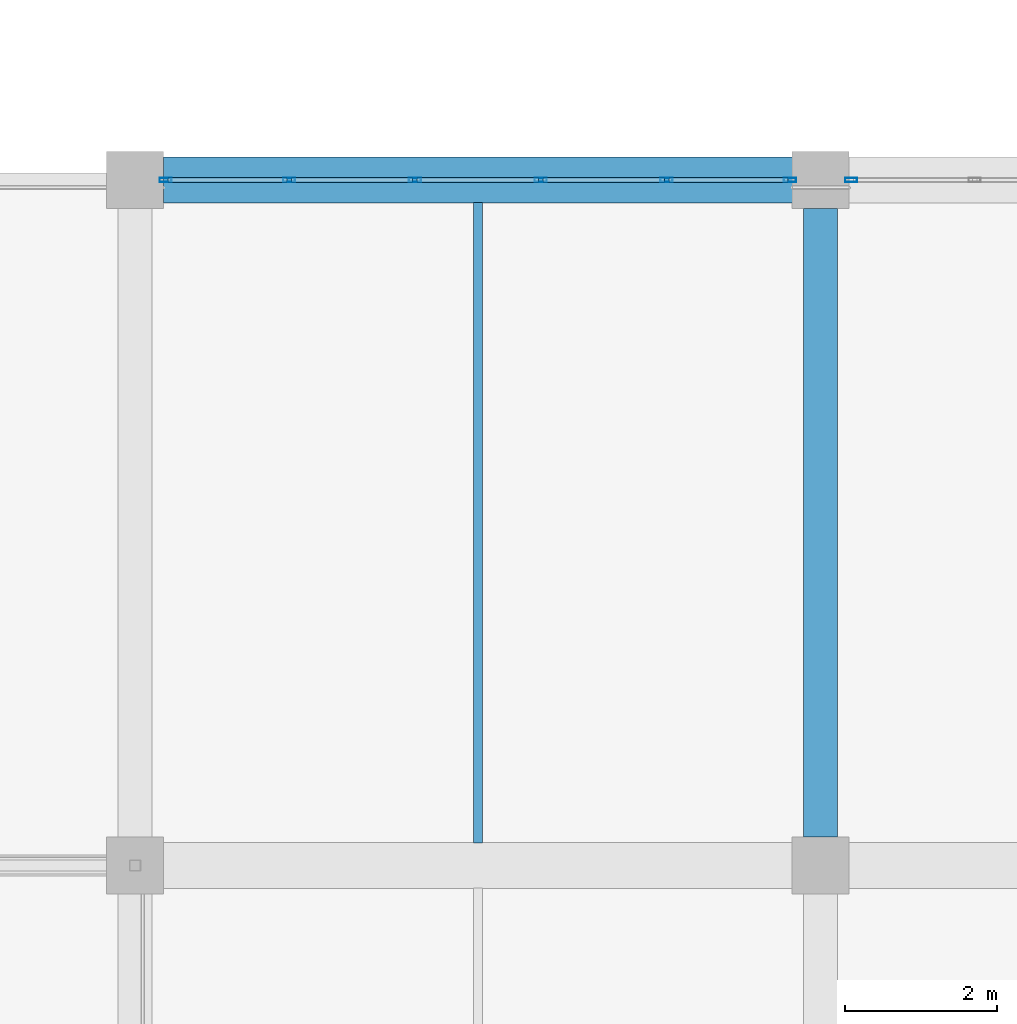
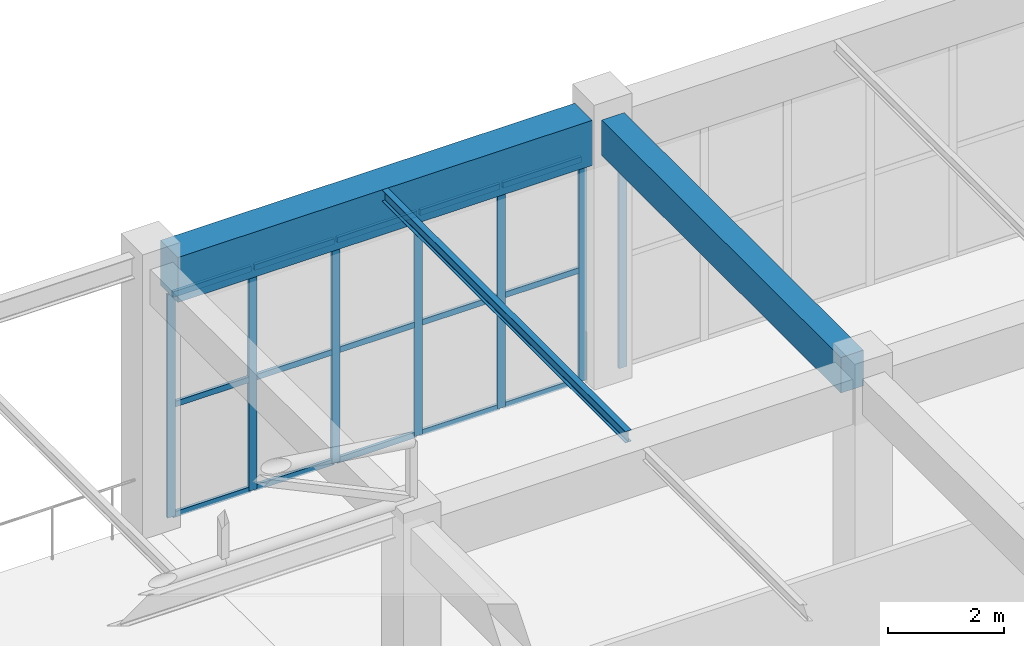
# One storey, part 74 of 223: 22 members, 3 beams, 2 elements without a shape of their own.
"""IFC4 building model written with IfcOpenShell, lengths in metres."""

import ifcopenshell
import ifcopenshell.guid

model = None  # the IFC model being written
_history = None  # IfcOwnerHistory: only IFC2X3 demands one
_inside = {}  # id of a spatial element -> (the spatial element, [elements in it])
_under = {}  # id of a project, library or spatial element -> (it, [spatial elements below it])
_declared = {}  # id of a project -> (the project, [libraries it declares])
_typed = {}  # id of a type object -> (the type object, [elements of that type])
_made_of = {}  # id of a material, layer set ... -> (it, [elements and type objects made of it])


def new_model(schema):
    """Start an empty IFC model of exactly this schema.

    Asked for "IFC4X3", IfcOpenShell would pick the latest addendum, in which some entities
    have other attributes; the version numbers below select the first issue.
    IFC2X3 requires an IfcOwnerHistory on every rooted entity: one is made here for all.
    """
    global model, _history
    if schema == "IFC4X3":
        model = ifcopenshell.file(schema_version=(4, 3, 0, 0))
    else:
        model = ifcopenshell.file(schema=schema)
    _inside.clear()
    _under.clear()
    _declared.clear()
    _typed.clear()
    _made_of.clear()
    _history = None
    if model.schema == "IFC2X3":
        org = make("IfcOrganization", Name="unknown")
        user = make(
            "IfcPersonAndOrganization",
            ThePerson=make("IfcPerson", FamilyName="unknown"),
            TheOrganization=org,
        )
        app = make(
            "IfcApplication",
            ApplicationDeveloper=org,
            Version="unknown",
            ApplicationFullName="unknown",
            ApplicationIdentifier="unknown",
        )
        _history = make(
            "IfcOwnerHistory",
            OwningUser=user,
            OwningApplication=app,
            ChangeAction="ADDED",
            CreationDate=0,
        )
    return model


def make(cls, **values):
    """One entity of the class cls with the attributes given. An attribute that is None is left unset."""
    return model.create_entity(
        cls, **{name: value for name, value in values.items() if value is not None}
    )


def rooted(cls, **values):
    """An entity with a GlobalId (a new one), such as an element, a storey or a relation."""
    return make(cls, GlobalId=ifcopenshell.guid.new(), OwnerHistory=_history, **values)


def si_unit(unit_type, name, prefix=None):
    """IfcSIUnit, for example si_unit("LENGTHUNIT", "METRE", prefix="MILLI")."""
    return make("IfcSIUnit", UnitType=unit_type, Prefix=prefix, Name=name)


def assignment(units):
    """IfcUnitAssignment: the units of a project."""
    return None if units is None else make("IfcUnitAssignment", Units=units)


def point(xyz):
    """IfcCartesianPoint."""
    return None if xyz is None else make("IfcCartesianPoint", Coordinates=xyz)


def direction(xyz):
    """IfcDirection."""
    return None if xyz is None else make("IfcDirection", DirectionRatios=xyz)


def frame(location, z_axis=None, x_axis=None):
    """IfcAxis2Placement3D, a coordinate frame: its origin and axes. An axis left out is left unset."""
    return make(
        "IfcAxis2Placement3D",
        Location=point(location),
        Axis=direction(z_axis),
        RefDirection=direction(x_axis),
    )


def frame_2d(location, x_axis=None):
    """IfcAxis2Placement2D, a coordinate frame in the plane: its origin and x axis."""
    return make(
        "IfcAxis2Placement2D", Location=point(location), RefDirection=direction(x_axis)
    )


def origin():
    """The frame at (0, 0, 0) with its axes left unset."""
    return frame((0.0, 0.0, 0.0))


def origin_2d():
    """The frame at (0, 0) in the plane with its x axis left unset."""
    return frame_2d((0.0, 0.0))


def place(relative_to, where):
    """IfcLocalPlacement: puts the frame where relative to a parent placement (None: the world)."""
    return make(
        "IfcLocalPlacement", PlacementRelTo=relative_to, RelativePlacement=where
    )


def context(
    kind, dimensions, precision=None, world=None, true_north=None, identifier=None
):
    """IfcGeometricRepresentationContext, for example the 3D "Model" context."""
    return make(
        "IfcGeometricRepresentationContext",
        ContextIdentifier=identifier,
        ContextType=kind,
        CoordinateSpaceDimension=dimensions,
        Precision=precision,
        WorldCoordinateSystem=world,
        TrueNorth=true_north,
    )


def subcontext(parent, identifier, kind, view, scale=None):
    """IfcGeometricRepresentationSubContext, for example "Body" below "Model"."""
    return make(
        "IfcGeometricRepresentationSubContext",
        ContextIdentifier=identifier,
        ContextType=kind,
        ParentContext=parent,
        TargetScale=scale,
        TargetView=view,
    )


def project(units=None, contexts=None):
    """IfcProject with its units and contexts."""
    return rooted(
        "IfcProject",
        Name="project",
        RepresentationContexts=contexts,
        UnitsInContext=assignment(units),
    )


def spatial(cls, under=None, at=None, **own):
    """A site, building, storey or space (cls), placed at a placement, below another one or the project."""
    s = rooted(cls, ObjectPlacement=at, **own)
    if under is not None:
        _under.setdefault(under.id(), (under, []))[1].append(s)
    return s


def profile(cls, at=None, kind="AREA", **sizes):
    """A parametric profile (cls). Its sizes go by their IFC names, for example OverallWidth=200.0."""
    return make(cls, ProfileType=kind, Position=at, **sizes)


def rectangle(**sizes):
    """IfcRectangleProfileDef."""
    return profile("IfcRectangleProfileDef", **sizes)


def hollow_rectangle(**sizes):
    """IfcRectangleHollowProfileDef."""
    return profile("IfcRectangleHollowProfileDef", **sizes)


def i_section(**sizes):
    """IfcIShapeProfileDef."""
    return profile("IfcIShapeProfileDef", **sizes)


def extrude(swept, where, along, depth):
    """IfcExtrudedAreaSolid: the profile swept, set in the frame where, extruded along a direction by depth."""
    return make(
        "IfcExtrudedAreaSolid",
        SweptArea=swept,
        Position=where,
        ExtrudedDirection=direction(along),
        Depth=depth,
    )


def shape(context_of_items, identifier, shape_type, items):
    """IfcShapeRepresentation: the items that make up one representation, for example the "Body"."""
    return make(
        "IfcShapeRepresentation",
        ContextOfItems=context_of_items,
        RepresentationIdentifier=identifier,
        RepresentationType=shape_type,
        Items=items,
    )


def material(Name=None, Category=None):
    """IfcMaterial."""
    return make("IfcMaterial", Name=Name, Category=Category)


def layer(
    of_material, thickness, ventilated=None, Name=None, Category=None, Priority=None
):
    """IfcMaterialLayer: one layer of a wall or slab, of a material (None: an air gap)."""
    return make(
        "IfcMaterialLayer",
        Material=of_material,
        LayerThickness=thickness,
        IsVentilated=ventilated,
        Name=Name,
        Category=Category,
        Priority=Priority,
    )


def layer_set(layers, Name=None):
    """IfcMaterialLayerSet."""
    return make("IfcMaterialLayerSet", MaterialLayers=layers, LayerSetName=Name)


def material_profile(
    of_material, cross_section, Name=None, Category=None, Priority=None
):
    """IfcMaterialProfile: a cross section and its material."""
    return make(
        "IfcMaterialProfile",
        Name=Name,
        Material=of_material,
        Profile=cross_section,
        Priority=Priority,
        Category=Category,
    )


def profile_set(profiles, Name=None, composite=None):
    """IfcMaterialProfileSet."""
    return make(
        "IfcMaterialProfileSet",
        Name=Name,
        MaterialProfiles=profiles,
        CompositeProfile=composite,
    )


def made_of(thing, what):
    """Note that an element or type object is made of a material, layer set ...; save() writes the relation."""
    if what is not None:
        _made_of.setdefault(what.id(), (what, []))[1].append(thing)
    return thing


def type_object(cls, material=None, **own):
    """A type object (cls), such as IfcWallType, which elements share."""
    return made_of(rooted(cls, **own), material)


def element(
    cls,
    number,
    at=None,
    inside=None,
    cuts=None,
    type_object=None,
    material=None,
    context=None,
    identifier="Body",
    shape_type=None,
    held_by="IfcProductDefinitionShape",
    body=None,
    shapes=None,
    **own,
):
    """One element of the class cls, such as IfcWall. Its Tag is "e" and its number.

    at: its placement. inside: the storey or other place that contains it. cuts: it is an
    opening in that element (IfcRelVoidsElement). A single representation is given by context,
    identifier, shape_type and body (its items); several are given by shapes. held_by: the class
    of the entity that holds the representations. save() writes the other relations.
    """
    e = rooted(cls, Tag="e%d" % number, ObjectPlacement=at, **own)
    if body is not None:
        shapes = [shape(context, identifier, shape_type, body)]
    if shapes is not None:
        e.Representation = make(held_by, Representations=shapes)
    if inside is not None:
        _inside.setdefault(inside.id(), (inside, []))[1].append(e)
    if cuts is not None:
        rooted(
            "IfcRelVoidsElement", RelatingBuildingElement=cuts, RelatedOpeningElement=e
        )
    if type_object is not None:
        _typed.setdefault(type_object.id(), (type_object, []))[1].append(e)
    return made_of(e, material)


def aggregate(whole, parts):
    """IfcRelAggregates: a whole, such as a stair, and the parts it consists of."""
    return rooted("IfcRelAggregates", RelatingObject=whole, RelatedObjects=parts)


def save(model, path):
    """Write the relations noted so far, then the file.

    IfcRelAggregates (storeys below a building ...), IfcRelContainedInSpatialStructure (elements
    in a storey), IfcRelDefinesByType, IfcRelAssociatesMaterial and IfcRelDeclares: one each for
    every whole, place, type object, material and project.
    """
    for whole, parts in _under.values():
        aggregate(whole, parts)
    for where, things in _inside.values():
        rooted(
            "IfcRelContainedInSpatialStructure",
            RelatedElements=things,
            RelatingStructure=where,
        )
    for kind, things in _typed.values():
        rooted("IfcRelDefinesByType", RelatedObjects=things, RelatingType=kind)
    for what, things in _made_of.values():
        rooted("IfcRelAssociatesMaterial", RelatedObjects=things, RelatingMaterial=what)
    for by, libraries in _declared.values():
        rooted("IfcRelDeclares", RelatingContext=by, RelatedDefinitions=libraries)
    model.write(path)


model = new_model("IFC4")

# Units and contexts
model_context = context("Model", 3, precision=1e-05, world=origin(), true_north=direction((0.0, 1.0)))
body_context = subcontext(model_context, "Body", "Model", "MODEL_VIEW")
ifc_project = project(units=[si_unit("LENGTHUNIT", "METRE"), si_unit("AREAUNIT", "SQUARE_METRE"), si_unit("VOLUMEUNIT", "CUBIC_METRE"), si_unit("PLANEANGLEUNIT", "RADIAN"), si_unit("MASSUNIT", "GRAM", prefix="KILO")], contexts=[model_context])

# Site, building, storey
site_placement = place(None, origin())
site = spatial("IfcSite", under=ifc_project, at=site_placement, CompositionType="ELEMENT")
building_placement = place(site_placement, origin())
building = spatial("IfcBuilding", under=site, at=building_placement, Name="Dornveld Trade and Exhibition Forum", CompositionType="ELEMENT")
storey_placement = place(building_placement, frame((0.0, 0.0, 6.0)))
storey = spatial("IfcBuildingStorey", under=building, at=storey_placement, Name="L01", CompositionType="ELEMENT", Elevation=6.0)

# Beams
ifc_material_1 = material(Name="Steel S355J2", Category="steel")
ifc_material_profile_1 = material_profile(ifc_material_1, i_section(OverallWidth=0.1201171875, OverallDepth=0.239990234375, WebThickness=0.006103515625, FlangeThickness=0.009765625, FilletRadius=0.014892578125, at=origin_2d()), Name="IPE 240")
ifc_profile_set_1 = profile_set([ifc_material_profile_1], Name="Steel S355J2")
beam_type_1 = type_object("IfcBeamType", Name="BM-JOIST-240", PredefinedType="JOIST", material=ifc_profile_set_1)
beam_1_placement = place(storey_placement, frame((202.5, 45.297119140625, 5.52001953125), z_axis=(0.0, 1.0, 0.0), x_axis=(-1.0, 0.0, 0.0)))
element("IfcBeam", 1, at=beam_1_placement, inside=storey, type_object=beam_type_1, Name="L01 secondary joist 1324", PredefinedType="JOIST", context=body_context, shape_type="SweptSolid", body=[
    extrude(i_section(OverallWidth=0.1201171875, OverallDepth=0.239990234375, WebThickness=0.006103515625, FlangeThickness=0.009765625, FilletRadius=0.014892578125, at=origin_2d()), origin(), (0.0, 0.0, 1.0), 8.40576171875),
])
ifc_material_2 = material(Name="Precast concrete C50/60", Category="concrete")
ifc_material_profile_2 = material_profile(ifc_material_2, rectangle(XDim=0.449951171875, YDim=0.75, at=origin_2d()), Name="PC-BM 450x750")
ifc_profile_set_2 = profile_set([ifc_material_profile_2], Name="Precast concrete C50/60")
beam_type_2 = type_object("IfcBeamType", Name="BM-PC-450x750", PredefinedType="BEAM", material=ifc_profile_set_2)
beam_2_placement = place(storey_placement, frame((207.0, 45.37109375, 5.264892578125), z_axis=(0.0, 1.0, 0.0), x_axis=(-1.0, 0.0, 0.0)))
element("IfcBeam", 2, at=beam_2_placement, inside=storey, type_object=beam_type_2, Name="L01 Y-girder 1306", PredefinedType="BEAM", context=body_context, shape_type="SweptSolid", body=[
    extrude(rectangle(XDim=0.449951171875, YDim=0.75, at=origin_2d()), origin(), (0.0, 0.0, 1.0), 8.2578125),
])
ifc_material_3 = material(Name="Precast concrete C50/60", Category="concrete")
ifc_material_profile_3 = material_profile(ifc_material_3, rectangle(XDim=0.60009765625, YDim=0.949951171875, at=origin_2d()), Name="PC-GIR 600x950")
ifc_profile_set_3 = profile_set([ifc_material_profile_3], Name="Precast concrete C50/60")
beam_type_3 = type_object("IfcBeamType", Name="BM-PC-600x950", PredefinedType="T_BEAM", material=ifc_profile_set_3)
beam_3_placement = place(storey_placement, frame((198.37109375, 54.0, 5.1650390625), z_axis=(1.0, 0.0, 0.0), x_axis=(0.0, 1.0, 0.0)))
element("IfcBeam", 3, at=beam_3_placement, inside=storey, type_object=beam_type_3, Name="L01 X-girder 1292", PredefinedType="T_BEAM", context=body_context, shape_type="SweptSolid", body=[
    extrude(rectangle(XDim=0.60009765625, YDim=0.949951171875, at=origin_2d()), origin(), (0.0, 0.0, 1.0), 8.2578125),
])

# Curtain wall, members
ifc_material_4 = material(Name="Dark-bronze anodised aluminium and low-E glass", Category="aluminium")
ifc_layer_1 = layer(ifc_material_4, 0.18701171875)
ifc_layer_set_1 = layer_set([ifc_layer_1], Name="Dark-bronze anodised aluminium and low-E glass")
curtain_wall_type_1 = type_object("IfcCurtainWallType", Name="CW-SYS-15", PredefinedType="USERDEFINED", material=ifc_layer_set_1)
curtain_wall_1_placement = place(storey_placement, origin())
curtain_wall_1 = element("IfcCurtainWall", 4, at=curtain_wall_1_placement, inside=storey, type_object=curtain_wall_type_1, Name="L01 unitised curtain wall 87", ObjectType="UNITISED_CURTAIN_WALL", PredefinedType="USERDEFINED")
ifc_material_5 = material(Name="Dark-bronze anodised aluminium", Category="aluminium")
ifc_material_profile_4 = material_profile(ifc_material_5, hollow_rectangle(XDim=0.06005859375, YDim=0.159912109375, WallThickness=0.00390625, at=origin_2d()), Name="RHS 160x60x4")
ifc_profile_set_4 = profile_set([ifc_material_profile_4], Name="Dark-bronze anodised aluminium")
member_type_1 = type_object("IfcMemberType", Name="CW-MUL-160", PredefinedType="MULLION", material=ifc_profile_set_4)
member_1_placement = place(storey_placement, frame((206.59912109375, 54.0, -0.00390625), z_axis=(0.0, 0.0, 1.0), x_axis=(0.0, -1.0, 0.0)))
member_1 = element("IfcMember", 5, at=member_1_placement, type_object=member_type_1, Name="CW-15 mullion 1", PredefinedType="MULLION", context=body_context, shape_type="SweptSolid", body=[
    extrude(hollow_rectangle(XDim=0.06005859375, YDim=0.159912109375, WallThickness=0.00390625, at=origin_2d()), origin(), (0.0, 0.0, 1.0), 4.703857421875),
])
member_2_placement = place(storey_placement, frame((204.977294921875, 54.0, -0.00390625), z_axis=(0.0, 0.0, 1.0), x_axis=(0.0, -1.0, 0.0)))
member_2 = element("IfcMember", 6, at=member_2_placement, type_object=member_type_1, Name="CW-15 mullion 2", PredefinedType="MULLION", context=body_context, shape_type="SweptSolid", body=[
    extrude(hollow_rectangle(XDim=0.06005859375, YDim=0.159912109375, WallThickness=0.00390625, at=origin_2d()), origin(), (0.0, 0.0, 1.0), 4.703857421875),
])
member_3_placement = place(storey_placement, frame((203.32568359375, 54.0, -0.00390625), z_axis=(0.0, 0.0, 1.0), x_axis=(0.0, -1.0, 0.0)))
member_3 = element("IfcMember", 7, at=member_3_placement, type_object=member_type_1, Name="CW-15 mullion 3", PredefinedType="MULLION", context=body_context, shape_type="SweptSolid", body=[
    extrude(hollow_rectangle(XDim=0.06005859375, YDim=0.159912109375, WallThickness=0.00390625, at=origin_2d()), origin(), (0.0, 0.0, 1.0), 4.703857421875),
])
member_4_placement = place(storey_placement, frame((201.67431640625, 54.0, -0.00390625), z_axis=(0.0, 0.0, 1.0), x_axis=(0.0, -1.0, 0.0)))
member_4 = element("IfcMember", 8, at=member_4_placement, type_object=member_type_1, Name="CW-15 mullion 4", PredefinedType="MULLION", context=body_context, shape_type="SweptSolid", body=[
    extrude(hollow_rectangle(XDim=0.06005859375, YDim=0.159912109375, WallThickness=0.00390625, at=origin_2d()), origin(), (0.0, 0.0, 1.0), 4.703857421875),
])
member_5_placement = place(storey_placement, frame((200.022705078125, 54.0, -0.00390625), z_axis=(0.0, 0.0, 1.0), x_axis=(0.0, -1.0, 0.0)))
member_5 = element("IfcMember", 9, at=member_5_placement, type_object=member_type_1, Name="CW-15 mullion 5", PredefinedType="MULLION", context=body_context, shape_type="SweptSolid", body=[
    extrude(hollow_rectangle(XDim=0.06005859375, YDim=0.159912109375, WallThickness=0.00390625, at=origin_2d()), origin(), (0.0, 0.0, 1.0), 4.703857421875),
])
member_6_placement = place(storey_placement, frame((198.40087890625, 54.0, -0.00390625), z_axis=(0.0, 0.0, 1.0), x_axis=(0.0, -1.0, 0.0)))
member_6 = element("IfcMember", 10, at=member_6_placement, type_object=member_type_1, Name="CW-15 mullion 6", PredefinedType="MULLION", context=body_context, shape_type="SweptSolid", body=[
    extrude(hollow_rectangle(XDim=0.06005859375, YDim=0.159912109375, WallThickness=0.00390625, at=origin_2d()), origin(), (0.0, 0.0, 1.0), 4.703857421875),
])

# Curtain wall, member
ifc_material_6 = material(Name="Dark-bronze anodised aluminium and low-E glass", Category="aluminium")
ifc_layer_2 = layer(ifc_material_6, 0.18994140625)
ifc_layer_set_2 = layer_set([ifc_layer_2], Name="Dark-bronze anodised aluminium and low-E glass")
curtain_wall_type_2 = type_object("IfcCurtainWallType", Name="CW-SYS-16", PredefinedType="USERDEFINED", material=ifc_layer_set_2)
curtain_wall_2_placement = place(storey_placement, origin())
curtain_wall_2 = element("IfcCurtainWall", 11, at=curtain_wall_2_placement, inside=storey, type_object=curtain_wall_type_2, Name="L01 unitised curtain wall 88", ObjectType="UNITISED_CURTAIN_WALL", PredefinedType="USERDEFINED")
member_7_placement = place(storey_placement, frame((207.40087890625, 54.0, -0.00390625), z_axis=(0.0, 0.0, 1.0), x_axis=(0.0, -1.0, 0.0)))
member_7 = element("IfcMember", 12, at=member_7_placement, type_object=member_type_1, Name="CW-16 mullion 6", PredefinedType="MULLION", context=body_context, shape_type="SweptSolid", body=[
    extrude(hollow_rectangle(XDim=0.06005859375, YDim=0.159912109375, WallThickness=0.00390625, at=origin_2d()), origin(), (0.0, 0.0, 1.0), 4.703857421875),
])
aggregate(curtain_wall_2, [member_7])

# Member
ifc_material_7 = material(Name="Dark-bronze anodised aluminium", Category="aluminium")
ifc_material_profile_5 = material_profile(ifc_material_7, hollow_rectangle(XDim=0.06005859375, YDim=0.1201171875, WallThickness=0.00390625, at=origin_2d()), Name="RHS 120x60x4")
ifc_profile_set_5 = profile_set([ifc_material_profile_5], Name="Dark-bronze anodised aluminium")
member_type_2 = type_object("IfcMemberType", Name="CW-TRN-120", PredefinedType="USERDEFINED", material=ifc_profile_set_5)
member_8_placement = place(storey_placement, frame((206.569091796875, 54.0, 0.02587890625), z_axis=(-1.0, 0.0, 0.0), x_axis=(0.0, -1.0, 0.0)))
member_8 = element("IfcMember", 13, at=member_8_placement, type_object=member_type_2, Name="CW-15 transom 1.1", ObjectType="TRANSOM", PredefinedType="USERDEFINED", context=body_context, shape_type="SweptSolid", body=[
    extrude(hollow_rectangle(XDim=0.06005859375, YDim=0.1201171875, WallThickness=0.00390625, at=origin_2d()), origin(), (0.0, 0.0, 1.0), 1.561767578125),
])

member_9_placement = place(storey_placement, frame((206.569091796875, 54.0, 2.347900390625), z_axis=(-1.0, 0.0, 0.0), x_axis=(0.0, -1.0, 0.0)))
member_9 = element("IfcMember", 14, at=member_9_placement, type_object=member_type_2, Name="CW-15 transom 1.2", ObjectType="TRANSOM", PredefinedType="USERDEFINED", context=body_context, shape_type="SweptSolid", body=[
    extrude(hollow_rectangle(XDim=0.06005859375, YDim=0.1201171875, WallThickness=0.00390625, at=origin_2d()), origin(), (0.0, 0.0, 1.0), 1.561767578125),
])

member_10_placement = place(storey_placement, frame((206.569091796875, 54.0, 4.669921875), z_axis=(-1.0, 0.0, 0.0), x_axis=(0.0, -1.0, 0.0)))
member_10 = element("IfcMember", 15, at=member_10_placement, type_object=member_type_2, Name="CW-15 transom 1.3", ObjectType="TRANSOM", PredefinedType="USERDEFINED", context=body_context, shape_type="SweptSolid", body=[
    extrude(hollow_rectangle(XDim=0.06005859375, YDim=0.1201171875, WallThickness=0.00390625, at=origin_2d()), origin(), (0.0, 0.0, 1.0), 1.561767578125),
])

member_11_placement = place(storey_placement, frame((204.947509765625, 54.0, 0.02587890625), z_axis=(-1.0, 0.0, 0.0), x_axis=(0.0, -1.0, 0.0)))
member_11 = element("IfcMember", 16, at=member_11_placement, type_object=member_type_2, Name="CW-15 transom 2.1", ObjectType="TRANSOM", PredefinedType="USERDEFINED", context=body_context, shape_type="SweptSolid", body=[
    extrude(hollow_rectangle(XDim=0.06005859375, YDim=0.1201171875, WallThickness=0.00390625, at=origin_2d()), origin(), (0.0, 0.0, 1.0), 1.591796875),
])

member_12_placement = place(storey_placement, frame((204.947509765625, 54.0, 2.347900390625), z_axis=(-1.0, 0.0, 0.0), x_axis=(0.0, -1.0, 0.0)))
member_12 = element("IfcMember", 17, at=member_12_placement, type_object=member_type_2, Name="CW-15 transom 2.2", ObjectType="TRANSOM", PredefinedType="USERDEFINED", context=body_context, shape_type="SweptSolid", body=[
    extrude(hollow_rectangle(XDim=0.06005859375, YDim=0.1201171875, WallThickness=0.00390625, at=origin_2d()), origin(), (0.0, 0.0, 1.0), 1.591796875),
])

member_13_placement = place(storey_placement, frame((204.947509765625, 54.0, 4.669921875), z_axis=(-1.0, 0.0, 0.0), x_axis=(0.0, -1.0, 0.0)))
member_13 = element("IfcMember", 18, at=member_13_placement, type_object=member_type_2, Name="CW-15 transom 2.3", ObjectType="TRANSOM", PredefinedType="USERDEFINED", context=body_context, shape_type="SweptSolid", body=[
    extrude(hollow_rectangle(XDim=0.06005859375, YDim=0.1201171875, WallThickness=0.00390625, at=origin_2d()), origin(), (0.0, 0.0, 1.0), 1.591796875),
])

member_14_placement = place(storey_placement, frame((203.2958984375, 54.0, 0.02587890625), z_axis=(-1.0, 0.0, 0.0), x_axis=(0.0, -1.0, 0.0)))
member_14 = element("IfcMember", 19, at=member_14_placement, type_object=member_type_2, Name="CW-15 transom 3.1", ObjectType="TRANSOM", PredefinedType="USERDEFINED", context=body_context, shape_type="SweptSolid", body=[
    extrude(hollow_rectangle(XDim=0.06005859375, YDim=0.1201171875, WallThickness=0.00390625, at=origin_2d()), origin(), (0.0, 0.0, 1.0), 1.591796875),
])

member_15_placement = place(storey_placement, frame((203.2958984375, 54.0, 2.347900390625), z_axis=(-1.0, 0.0, 0.0), x_axis=(0.0, -1.0, 0.0)))
member_15 = element("IfcMember", 20, at=member_15_placement, type_object=member_type_2, Name="CW-15 transom 3.2", ObjectType="TRANSOM", PredefinedType="USERDEFINED", context=body_context, shape_type="SweptSolid", body=[
    extrude(hollow_rectangle(XDim=0.06005859375, YDim=0.1201171875, WallThickness=0.00390625, at=origin_2d()), origin(), (0.0, 0.0, 1.0), 1.591796875),
])

member_16_placement = place(storey_placement, frame((203.2958984375, 54.0, 4.669921875), z_axis=(-1.0, 0.0, 0.0), x_axis=(0.0, -1.0, 0.0)))
member_16 = element("IfcMember", 21, at=member_16_placement, type_object=member_type_2, Name="CW-15 transom 3.3", ObjectType="TRANSOM", PredefinedType="USERDEFINED", context=body_context, shape_type="SweptSolid", body=[
    extrude(hollow_rectangle(XDim=0.06005859375, YDim=0.1201171875, WallThickness=0.00390625, at=origin_2d()), origin(), (0.0, 0.0, 1.0), 1.591796875),
])

member_17_placement = place(storey_placement, frame((201.644287109375, 54.0, 0.02587890625), z_axis=(-1.0, 0.0, 0.0), x_axis=(0.0, -1.0, 0.0)))
member_17 = element("IfcMember", 22, at=member_17_placement, type_object=member_type_2, Name="CW-15 transom 4.1", ObjectType="TRANSOM", PredefinedType="USERDEFINED", context=body_context, shape_type="SweptSolid", body=[
    extrude(hollow_rectangle(XDim=0.06005859375, YDim=0.1201171875, WallThickness=0.00390625, at=origin_2d()), origin(), (0.0, 0.0, 1.0), 1.591796875),
])

member_18_placement = place(storey_placement, frame((201.644287109375, 54.0, 2.347900390625), z_axis=(-1.0, 0.0, 0.0), x_axis=(0.0, -1.0, 0.0)))
member_18 = element("IfcMember", 23, at=member_18_placement, type_object=member_type_2, Name="CW-15 transom 4.2", ObjectType="TRANSOM", PredefinedType="USERDEFINED", context=body_context, shape_type="SweptSolid", body=[
    extrude(hollow_rectangle(XDim=0.06005859375, YDim=0.1201171875, WallThickness=0.00390625, at=origin_2d()), origin(), (0.0, 0.0, 1.0), 1.591796875),
])

member_19_placement = place(storey_placement, frame((201.644287109375, 54.0, 4.669921875), z_axis=(-1.0, 0.0, 0.0), x_axis=(0.0, -1.0, 0.0)))
member_19 = element("IfcMember", 24, at=member_19_placement, type_object=member_type_2, Name="CW-15 transom 4.3", ObjectType="TRANSOM", PredefinedType="USERDEFINED", context=body_context, shape_type="SweptSolid", body=[
    extrude(hollow_rectangle(XDim=0.06005859375, YDim=0.1201171875, WallThickness=0.00390625, at=origin_2d()), origin(), (0.0, 0.0, 1.0), 1.591796875),
])

member_20_placement = place(storey_placement, frame((199.99267578125, 54.0, 0.02587890625), z_axis=(-1.0, 0.0, 0.0), x_axis=(0.0, -1.0, 0.0)))
member_20 = element("IfcMember", 25, at=member_20_placement, type_object=member_type_2, Name="CW-15 transom 5.1", ObjectType="TRANSOM", PredefinedType="USERDEFINED", context=body_context, shape_type="SweptSolid", body=[
    extrude(hollow_rectangle(XDim=0.06005859375, YDim=0.1201171875, WallThickness=0.00390625, at=origin_2d()), origin(), (0.0, 0.0, 1.0), 1.561767578125),
])

member_21_placement = place(storey_placement, frame((199.99267578125, 54.0, 2.347900390625), z_axis=(-1.0, 0.0, 0.0), x_axis=(0.0, -1.0, 0.0)))
member_21 = element("IfcMember", 26, at=member_21_placement, type_object=member_type_2, Name="CW-15 transom 5.2", ObjectType="TRANSOM", PredefinedType="USERDEFINED", context=body_context, shape_type="SweptSolid", body=[
    extrude(hollow_rectangle(XDim=0.06005859375, YDim=0.1201171875, WallThickness=0.00390625, at=origin_2d()), origin(), (0.0, 0.0, 1.0), 1.561767578125),
])

member_22_placement = place(storey_placement, frame((199.99267578125, 54.0, 4.669921875), z_axis=(-1.0, 0.0, 0.0), x_axis=(0.0, -1.0, 0.0)))
member_22 = element("IfcMember", 27, at=member_22_placement, type_object=member_type_2, Name="CW-15 transom 5.3", ObjectType="TRANSOM", PredefinedType="USERDEFINED", context=body_context, shape_type="SweptSolid", body=[
    extrude(hollow_rectangle(XDim=0.06005859375, YDim=0.1201171875, WallThickness=0.00390625, at=origin_2d()), origin(), (0.0, 0.0, 1.0), 1.561767578125),
])

aggregate(curtain_wall_1, [member_1, member_2, member_3, member_4, member_5, member_6, member_8, member_9, member_10, member_11, member_12, member_13, member_14, member_15, member_16, member_17, member_18, member_19, member_20, member_21, member_22])

save(model, "model.ifc")
